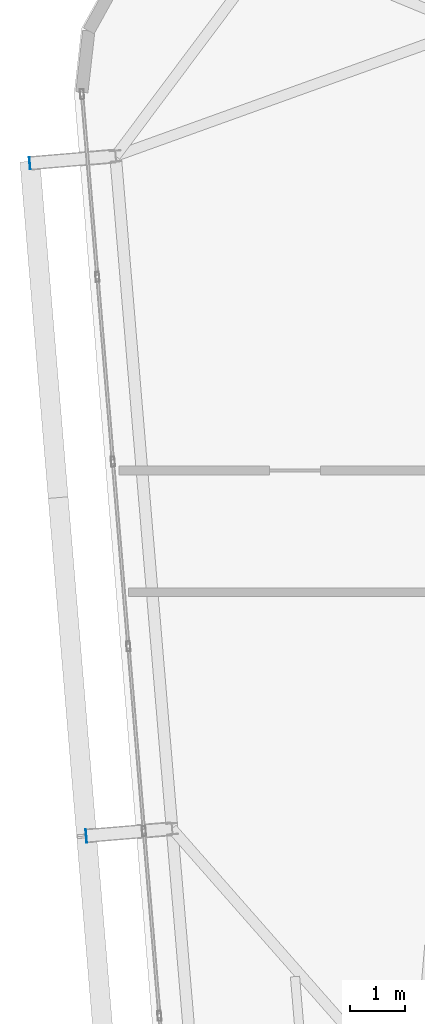
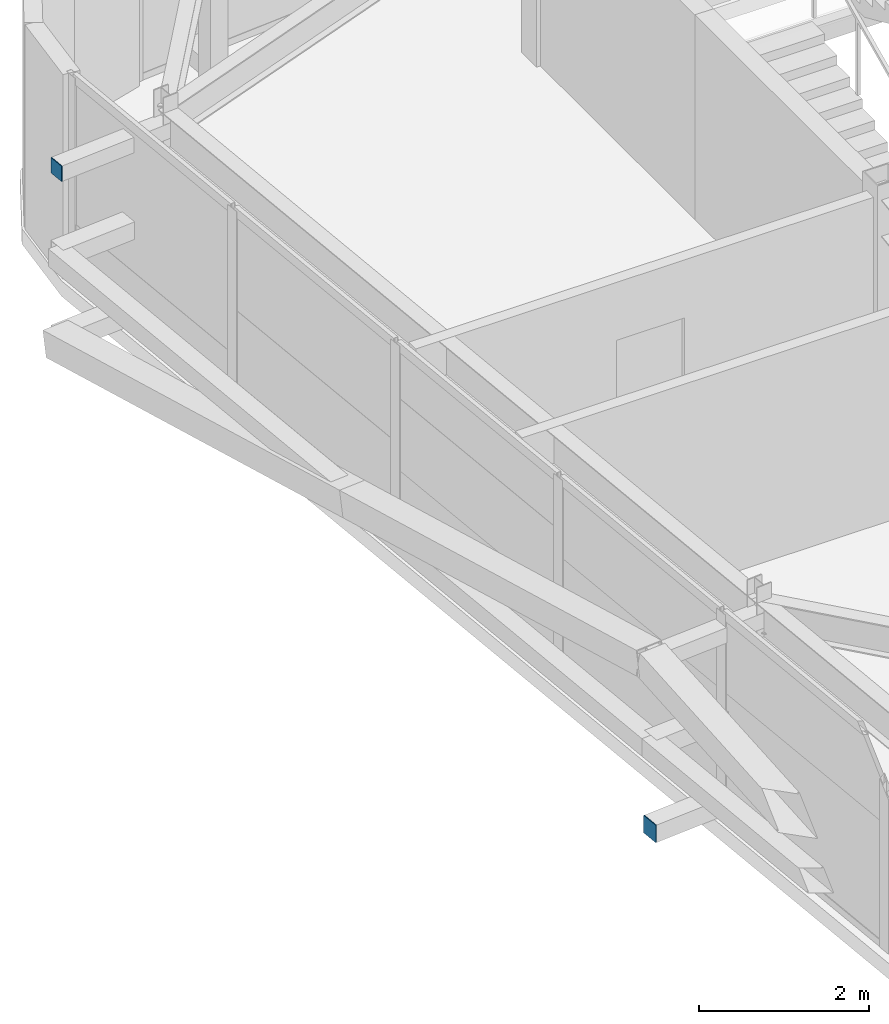
# One storey, part 36 of 46: 2 plates.
"""IFC4 building model written with IfcOpenShell, lengths in metres."""

from ifc_helpers import new_model, si_unit, direction, frame, origin, origin_2d, place, context, subcontext, project, spatial, rectangle, extrude, source, transform, mapped, material, layer, layer_set, type_object, element, save


model = new_model("IFC4")

# Units and contexts
model_context = context("Model", 3, precision=1e-05, world=origin(), true_north=direction((0.0, 1.0)))
body_context = subcontext(model_context, "Body", "Model", "MODEL_VIEW")
ifc_project = project(units=[si_unit("LENGTHUNIT", "METRE"), si_unit("AREAUNIT", "SQUARE_METRE"), si_unit("VOLUMEUNIT", "CUBIC_METRE"), si_unit("PLANEANGLEUNIT", "RADIAN"), si_unit("MASSUNIT", "GRAM", prefix="KILO")], contexts=[model_context])

# Site, building, storey
site_placement = place(None, origin())
site = spatial("IfcSite", under=ifc_project, at=site_placement, CompositionType="ELEMENT")
building_placement = place(site_placement, origin())
building = spatial("IfcBuilding", under=site, at=building_placement, Name="Taldren Reach Tower", CompositionType="ELEMENT")
storey_placement = place(building_placement, frame((0.0, 0.0, 185.14990234375)))
storey = spatial("IfcBuildingStorey", under=building, at=storey_placement, Name="L56", CompositionType="ELEMENT", Elevation=185.14990234375)

# Plates
ifc_material_1 = material(Name="Steel Gr 350 (C350L0)", Category="steel")
ifc_layer_1 = layer(ifc_material_1, 0.011962890625)
ifc_layer_set_1 = layer_set([ifc_layer_1], Name="Steel Gr 350 (C350L0)")
plate_type_1 = type_object("IfcPlateType", Name="PL-CAP-250", PredefinedType="SHEET", material=ifc_layer_set_1)
shared_shape_1 = source(origin(), body_context, "Body", "SweptSolid", [
    extrude(rectangle(XDim=0.011962890625, YDim=0.25, at=origin_2d()), origin(), (0.0, 0.0, 1.0), 0.25),
])
plate_1_placement = place(storey_placement, frame((12.0322265625, 17.39501953125, 0.09521484375), z_axis=(0.0, 0.0, 1.0), x_axis=(0.99649285925, 0.083677843332, 0.0)))
element("IfcPlate", 1, at=plate_1_placement, inside=storey, type_object=plate_type_1, Name="Tie strut end cap plate B4-W2 L56", PredefinedType="SHEET", context=body_context, shape_type="MappedRepresentation", body=[
    mapped(shared_shape_1, transform((0.0, 0.0, 0.0), scale=1.0)),
])
ifc_material_2 = material(Name="Steel Gr 450 (C450L0)", Category="steel")
ifc_layer_2 = layer(ifc_material_2, 0.011962890625)
ifc_layer_set_2 = layer_set([ifc_layer_2], Name="Steel Gr 450 (C450L0)")
plate_type_2 = type_object("IfcPlateType", Name="PL-CAP-220", PredefinedType="SHEET", material=ifc_layer_set_2)
shared_shape_2 = source(origin(), body_context, "Body", "SweptSolid", [
    extrude(rectangle(XDim=0.011962890625, YDim=0.219970703125, at=origin_2d()), origin(), (0.0, 0.0, 1.0), 0.219970703125),
])
plate_2_placement = place(storey_placement, frame((11.011474609375, 29.55224609375, 2.5400390625), z_axis=(0.0, 0.0, 1.0), x_axis=(0.99649285925, 0.083677843332, 0.0)))
element("IfcPlate", 2, at=plate_2_placement, inside=storey, type_object=plate_type_2, Name="Tie strut end cap plate B4-W3 L56", PredefinedType="SHEET", context=body_context, shape_type="MappedRepresentation", body=[
    mapped(shared_shape_2, transform((0.0, 0.0, 0.0), scale=1.0)),
])

save(model, "model.ifc")
